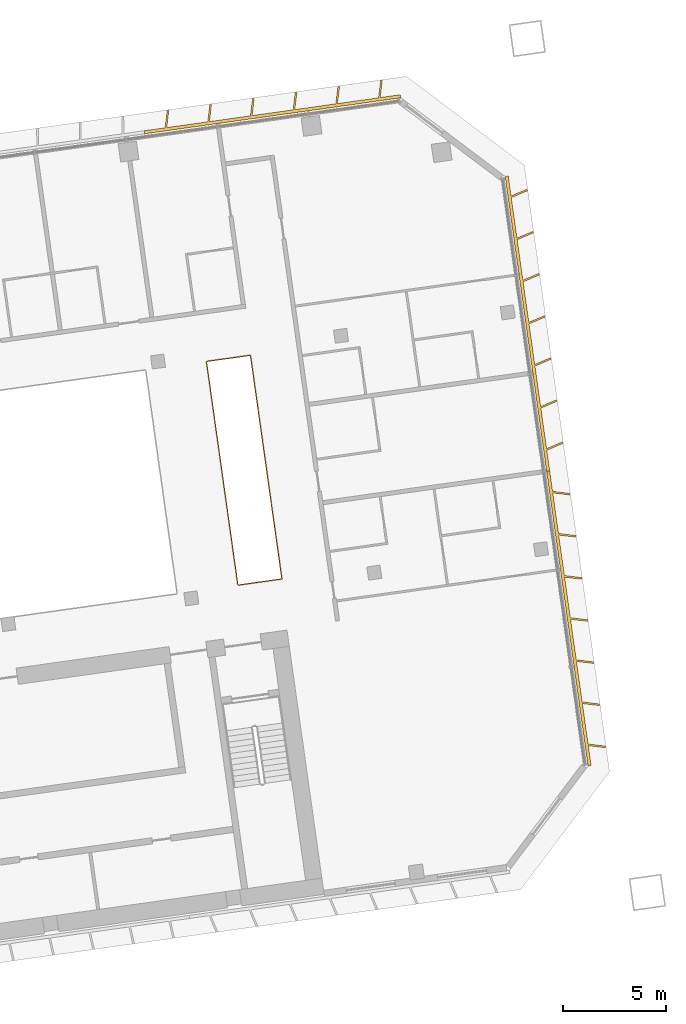
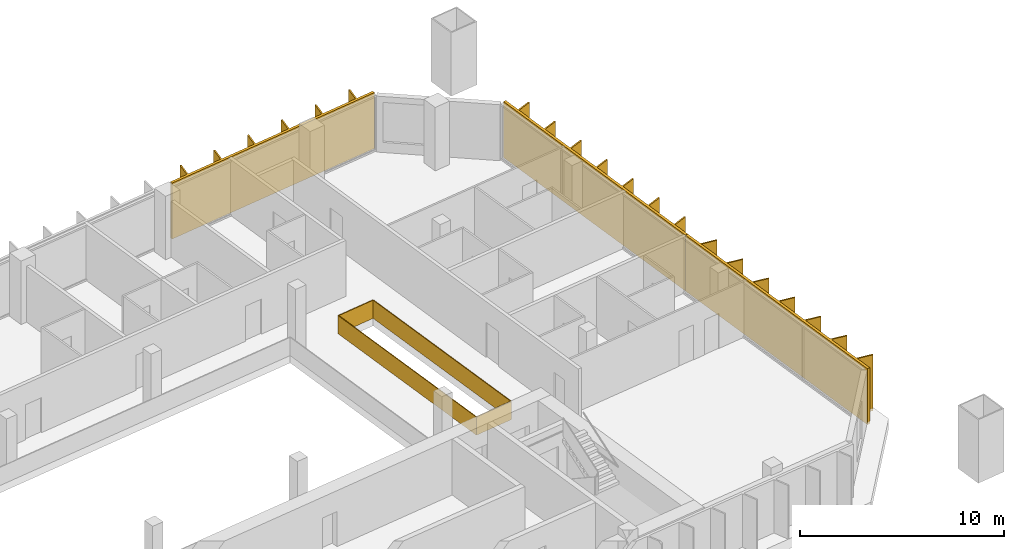
# One storey, part 26 of 26: 3 shading devices, 1 railing.
"""IFC4 building model written with IfcOpenShell, lengths in metres."""

from ifc_helpers import new_model, si_unit, direction, frame, origin, origin_2d, place, context, subcontext, project, spatial, polyline, rectangle, outline, extrude, material, type_object, element, save


model = new_model("IFC4")

# Units and contexts
model_context = context("Model", 3, precision=1e-05, world=origin(), true_north=direction((0.0, 1.0)))
body_context = subcontext(model_context, "Body", "Model", "MODEL_VIEW")
ifc_project = project(units=[si_unit("LENGTHUNIT", "METRE"), si_unit("AREAUNIT", "SQUARE_METRE"), si_unit("VOLUMEUNIT", "CUBIC_METRE"), si_unit("PLANEANGLEUNIT", "RADIAN"), si_unit("MASSUNIT", "GRAM", prefix="KILO")], contexts=[model_context])

# Site, building, storey
site_placement = place(None, origin())
site = spatial("IfcSite", under=ifc_project, at=site_placement, CompositionType="ELEMENT")
building_placement = place(site_placement, origin())
building = spatial("IfcBuilding", under=site, at=building_placement, Name="Mirante Cascada Hotel Towers", CompositionType="ELEMENT")
storey_placement = place(building_placement, frame((0.0, 0.0, 113.9)))
storey = spatial("IfcBuildingStorey", under=building, at=storey_placement, Name="L25", CompositionType="ELEMENT", Elevation=113.9)

# Railing
ifc_material_1 = material(Name="Toughened glass with stainless steel handrail", Category="steel")
railing_type = type_object("IfcRailingType", Name="Atrium guard 1100 glass balustrade", PredefinedType="GUARDRAIL", material=ifc_material_1)
railing_placement = place(storey_placement, frame((86.2624, 2.4738, 0.0)))
element("IfcRailing", 1, at=railing_placement, inside=storey, type_object=railing_type, Name="GUARD 2-L25-3", PredefinedType="GUARDRAIL", context=body_context, shape_type="SweptSolid", body=[
    extrude(rectangle(XDim=0.048, YDim=0.048, at=origin_2d()), frame((0.0, 0.0, 1.076), z_axis=(0.9902724, 0.1391422, 0.0), x_axis=(-0.1391422, 0.9902724, 0.0)), (0.0, 0.0, 1.0), 2.1625),
    extrude(rectangle(XDim=0.02, YDim=1.052, at=origin_2d()), frame((0.0, 0.0, 0.526), z_axis=(0.9902724, 0.1391422, 0.0), x_axis=(-0.1391422, 0.9902724, 0.0)), (0.0, 0.0, 1.0), 2.1625),
    extrude(rectangle(XDim=0.048, YDim=0.048, at=origin_2d()), frame((2.1415, 0.3009, 1.076), z_axis=(-0.1391721, 0.9902682, 0.0), x_axis=(-0.9902682, -0.1391721, 0.0)), (0.0, 0.0, 1.0), 11.0001),
    extrude(rectangle(XDim=0.02, YDim=1.052, at=origin_2d()), frame((2.1415, 0.3009, 0.526), z_axis=(-0.1391721, 0.9902682, 0.0), x_axis=(-0.9902682, -0.1391721, 0.0)), (0.0, 0.0, 1.0), 11.0001),
    extrude(rectangle(XDim=0.048, YDim=0.048, at=origin_2d()), frame((0.6106, 11.1939, 1.076), z_axis=(-0.990266, -0.1391875, 0.0), x_axis=(0.1391875, -0.990266, 0.0)), (0.0, 0.0, 1.0), 2.1626),
    extrude(rectangle(XDim=0.02, YDim=1.052, at=origin_2d()), frame((0.6106, 11.1939, 0.526), z_axis=(-0.990266, -0.1391875, 0.0), x_axis=(0.1391875, -0.990266, 0.0)), (0.0, 0.0, 1.0), 2.1626),
    extrude(rectangle(XDim=0.048, YDim=0.048, at=origin_2d()), frame((-1.5309, 10.8929, 1.076), z_axis=(0.1391733, -0.990268, 0.0), x_axis=(0.990268, 0.1391733, 0.0)), (0.0, 0.0, 1.0), 11.0),
    extrude(rectangle(XDim=0.02, YDim=1.052, at=origin_2d()), frame((-1.5309, 10.8929, 0.526), z_axis=(0.1391733, -0.990268, 0.0), x_axis=(0.990268, 0.1391733, 0.0)), (0.0, 0.0, 1.0), 11.0),
])

# Shading devices
ifc_material_2 = material(Name="White precast concrete C50/60 fin", Category="concrete")
shading_device_type = type_object("IfcShadingDeviceType", Name="Vertical fin set 4500x900", PredefinedType="USERDEFINED", material=ifc_material_2)
shading_device_1_placement = place(storey_placement, origin())
element("IfcShadingDevice", 2, at=shading_device_1_placement, inside=storey, type_object=shading_device_type, Name="FIN T2 L25 front 1", ObjectType="FIN", PredefinedType="USERDEFINED", context=body_context, shape_type="SweptSolid", body=[
    extrude(outline(polyline([(82.8967, 25.5893), (82.7946, 24.758), (84.7922, 25.0387), (84.8968, 25.8913), (84.9762, 25.8815), (84.8742, 25.0503), (86.8717, 25.331), (86.9764, 26.1835), (87.0558, 26.1738), (86.9537, 25.3425), (88.9513, 25.6233), (89.056, 26.4758), (89.1354, 26.4661), (89.0333, 25.6348), (91.0308, 25.9155), (91.1355, 26.7681), (91.2149, 26.7583), (91.1129, 25.9271), (93.1104, 26.2078), (93.2151, 27.0603), (93.2945, 27.0506), (93.1924, 26.2193), (94.1779, 26.3578), (94.1988, 26.2093), (81.7214, 24.4557), (81.7006, 24.6042), (82.7126, 24.7465), (82.8173, 25.599), (82.8967, 25.5893)])), origin(), (0.0, 0.0, 1.0), 3.35),
])
shading_device_2_placement = place(storey_placement, origin())
element("IfcShadingDevice", 3, at=shading_device_2_placement, inside=storey, type_object=shading_device_type, Name="FIN T2 L25 outer 1", ObjectType="FIN", PredefinedType="USERDEFINED", context=body_context, shape_type="SweptSolid", body=[
    extrude(outline(polyline([(104.1606, -5.4483), (103.3293, -5.3462), (103.4659, -6.3175), (103.3173, -6.3384), (101.2993, 8.0205), (101.4478, 8.0413), (101.5881, 7.0434), (102.4406, 6.9388), (102.4309, 6.8594), (101.5996, 6.9614), (101.8764, 4.9922), (102.7289, 4.8875), (102.7192, 4.8081), (101.8879, 4.9102), (102.1647, 2.9409), (103.0172, 2.8362), (103.0075, 2.7568), (102.1762, 2.8589), (102.4529, 0.8896), (103.3055, 0.785), (103.2957, 0.7056), (102.4645, 0.8076), (102.7412, -1.1616), (103.5938, -1.2663), (103.584, -1.3457), (102.7528, -1.2436), (103.0295, -3.2129), (103.8821, -3.3176), (103.8723, -3.397), (103.041, -3.2949), (103.3178, -5.2642), (104.1704, -5.3689), (104.1606, -5.4483)])), origin(), (0.0, 0.0, 1.0), 3.35),
])
shading_device_3_placement = place(storey_placement, origin())
element("IfcShadingDevice", 4, at=shading_device_3_placement, inside=storey, type_object=shading_device_type, Name="FIN T2 L25 outer 2", ObjectType="FIN", PredefinedType="USERDEFINED", context=body_context, shape_type="SweptSolid", body=[
    extrude(outline(polyline([(102.0983, 9.3749), (101.3076, 9.0392), (101.4478, 8.0413), (101.2993, 8.0205), (99.2813, 22.3794), (99.4298, 22.4002), (99.5663, 21.4289), (100.3373, 21.7561), (100.3685, 21.6825), (99.5779, 21.3469), (99.8546, 19.3776), (100.6256, 19.7048), (100.6568, 19.6312), (99.8662, 19.2956), (100.1429, 17.3263), (100.9139, 17.6536), (100.9451, 17.5799), (100.1544, 17.2443), (100.4312, 15.2751), (101.2021, 15.6023), (101.2334, 15.5287), (100.4427, 15.193), (100.7195, 13.2238), (101.4904, 13.551), (101.5217, 13.4774), (100.731, 13.1418), (101.0078, 11.1725), (101.7787, 11.4998), (101.81, 11.4261), (101.0193, 11.0905), (101.2961, 9.1212), (102.067, 9.4485), (102.0983, 9.3749)])), origin(), (0.0, 0.0, 1.0), 3.35),
])

save(model, "model.ifc")
